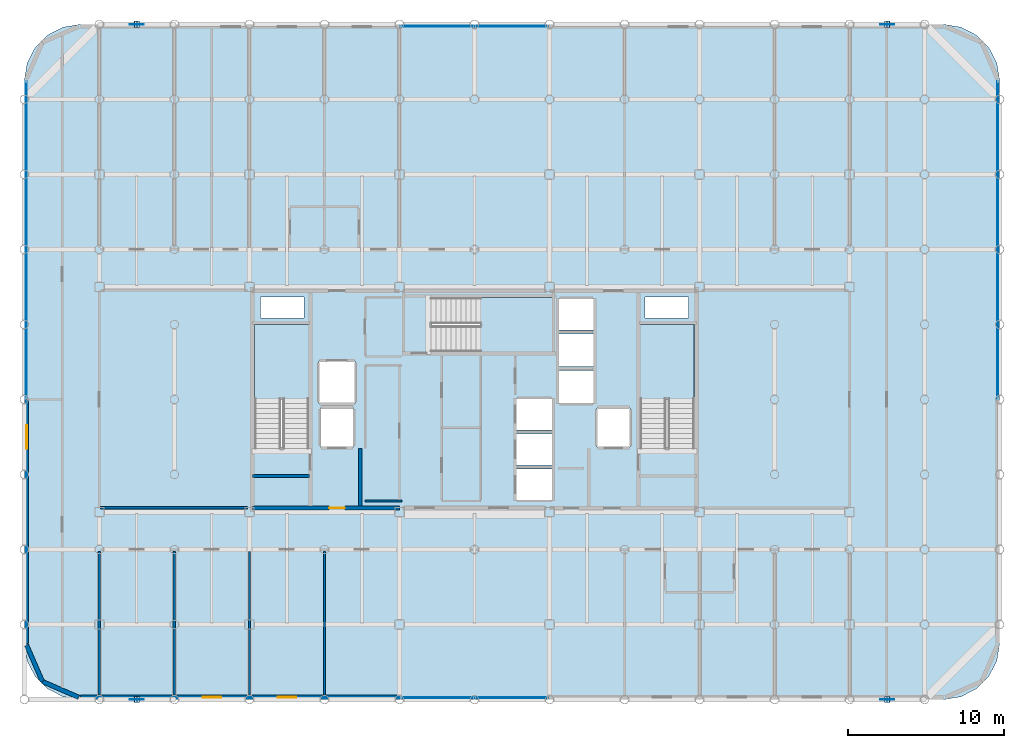
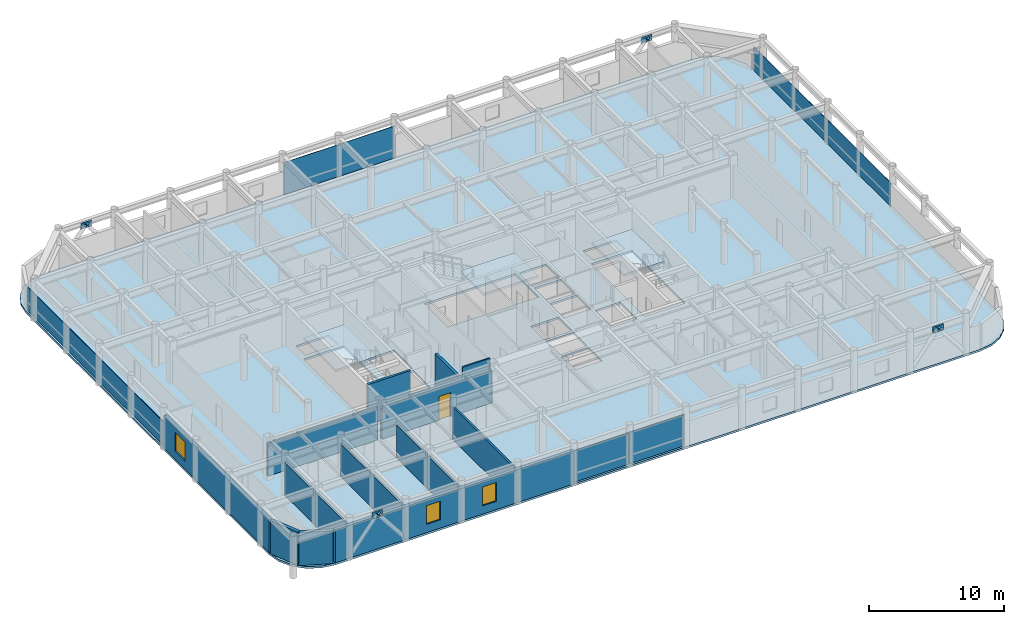
# One storey, part 17 of 22: 18 plates, 13 walls, 4 slabs, 3 windows, 1 door, 4 openings, 7 elements without a shape of their own.
"""IFC4 building model written with IfcOpenShell, lengths in metres."""

from ifc_helpers import new_model, si_unit, direction, frame, frame_2d, origin, origin_2d, place, context, subcontext, project, spatial, polyline, rectangle, outline, extrude, material, layer, layer_set, type_object, element, fill, aggregate, save


model = new_model("IFC4")

# Units and contexts
model_context = context("Model", 3, precision=1e-05, world=origin(), true_north=direction((0.0, 1.0)))
body_context = subcontext(model_context, "Body", "Model", "MODEL_VIEW")
ifc_project = project(units=[si_unit("LENGTHUNIT", "METRE"), si_unit("AREAUNIT", "SQUARE_METRE"), si_unit("VOLUMEUNIT", "CUBIC_METRE"), si_unit("PLANEANGLEUNIT", "RADIAN"), si_unit("MASSUNIT", "GRAM", prefix="KILO")], contexts=[model_context])

# Site, building, storey
site_placement = place(None, origin())
site = spatial("IfcSite", under=ifc_project, at=site_placement, CompositionType="ELEMENT")
building_placement = place(site_placement, origin())
building = spatial("IfcBuilding", under=site, at=building_placement, Name="Kallvorn Hotel Tower", CompositionType="ELEMENT")
storey_placement = place(building_placement, frame((0.0, 0.0, 226.14990234375)))
storey = spatial("IfcBuildingStorey", under=building, at=storey_placement, Name="L56", CompositionType="ELEMENT", Elevation=226.14990234375)

# Curtain wall, plates
ifc_material_1 = material(Name="Thermally broken black-anodised aluminium AA 6063-T6", Category="aluminium")
ifc_layer_1 = layer(ifc_material_1, 0.22998046875)
ifc_layer_set_1 = layer_set([ifc_layer_1], Name="CW_SYS_5_HOTEL_HIGH")
curtain_wall_type = type_object("IfcCurtainWallType", Name="CW_SYS_5_HOTEL_HIGH", PredefinedType="USERDEFINED", material=ifc_layer_set_1)
curtain_wall_1_placement = place(storey_placement, origin())
curtain_wall_1 = element("IfcCurtainWall", 1, at=curtain_wall_1_placement, inside=storey, type_object=curtain_wall_type, Name="L56 Dark-Glass Curtain Wall CW-L56-SC", ObjectType="UNITISED CURTAIN WALL", PredefinedType="USERDEFINED")
ifc_material_2 = material(Name="Triple-glazed low-e acoustic solar-control dark glass", Category="glass")
ifc_layer_2 = layer(ifc_material_2, 0.04150390625)
ifc_layer_set_2 = layer_set([ifc_layer_2], Name="CW_SYS_5_HOTEL_HIGH_PANEL")
plate_type_1 = type_object("IfcPlateType", Name="CW_SYS_5_HOTEL_HIGH_PANEL", PredefinedType="CURTAIN_PANEL", material=ifc_layer_set_2)
plate_1_placement = place(storey_placement, frame((-2.375, -19.080078125, 0.06005859375), z_axis=(0.0, 0.0, 1.0), x_axis=(1.0, 0.0, 0.0)))
plate_1 = element("IfcPlate", 2, at=plate_1_placement, type_object=plate_type_1, Name="CW-L56-SC Vision Glass Panel 00", PredefinedType="CURTAIN_PANEL", context=body_context, shape_type="SweptSolid", body=[
    extrude(rectangle(XDim=4.68994140625, YDim=0.04150390625, at=origin_2d()), origin(), (0.0, 0.0, 1.0), 2.85009765625),
])
plate_2_placement = place(storey_placement, frame((2.375, -19.080078125, 0.06005859375), z_axis=(0.0, 0.0, 1.0), x_axis=(1.0, 0.0, 0.0)))
plate_2 = element("IfcPlate", 3, at=plate_2_placement, type_object=plate_type_1, Name="CW-L56-SC Vision Glass Panel 01", PredefinedType="CURTAIN_PANEL", context=body_context, shape_type="SweptSolid", body=[
    extrude(rectangle(XDim=4.68994140625, YDim=0.04150390625, at=origin_2d()), origin(), (0.0, 0.0, 1.0), 2.85009765625),
])
aggregate(curtain_wall_1, [plate_1, plate_2])

curtain_wall_2_placement = place(storey_placement, origin())
curtain_wall_2 = element("IfcCurtainWall", 4, at=curtain_wall_2_placement, inside=storey, type_object=curtain_wall_type, Name="L56 Dark-Glass Curtain Wall CW-L56-NC", ObjectType="UNITISED CURTAIN WALL", PredefinedType="USERDEFINED")
plate_3_placement = place(storey_placement, frame((-2.375, 23.8798828125, 0.06005859375), z_axis=(0.0, 0.0, 1.0), x_axis=(1.0, 0.0, 0.0)))
plate_3 = element("IfcPlate", 5, at=plate_3_placement, type_object=plate_type_1, Name="CW-L56-NC Vision Glass Panel 00", PredefinedType="CURTAIN_PANEL", context=body_context, shape_type="SweptSolid", body=[
    extrude(rectangle(XDim=4.68994140625, YDim=0.04150390625, at=origin_2d()), origin(), (0.0, 0.0, 1.0), 2.89990234375),
])
plate_4_placement = place(storey_placement, frame((2.375, 23.8798828125, 0.06005859375), z_axis=(0.0, 0.0, 1.0), x_axis=(1.0, 0.0, 0.0)))
plate_4 = element("IfcPlate", 6, at=plate_4_placement, type_object=plate_type_1, Name="CW-L56-NC Vision Glass Panel 01", PredefinedType="CURTAIN_PANEL", context=body_context, shape_type="SweptSolid", body=[
    extrude(rectangle(XDim=4.68994140625, YDim=0.04150390625, at=origin_2d()), origin(), (0.0, 0.0, 1.0), 2.89990234375),
])
aggregate(curtain_wall_2, [plate_3, plate_4])

# Curtain wall, plate
curtain_wall_3_placement = place(storey_placement, origin())
curtain_wall_3 = element("IfcCurtainWall", 7, at=curtain_wall_3_placement, inside=storey, type_object=curtain_wall_type, Name="L56 Dark-Glass Curtain Wall CW-L56-WN", ObjectType="UNITISED CURTAIN WALL", PredefinedType="USERDEFINED")
plate_5_placement = place(storey_placement, frame((-28.679931640625, 10.2099609375, 0.06005859375), z_axis=(0.0, 0.0, 1.0), x_axis=(0.0, 1.0, 0.0)))
plate_5 = element("IfcPlate", 8, at=plate_5_placement, type_object=plate_type_1, Name="CW-L56-WN Vision Glass Panel 00", PredefinedType="CURTAIN_PANEL", context=body_context, shape_type="SweptSolid", body=[
    extrude(rectangle(XDim=20.320068359375, YDim=0.04150390625, at=origin_2d()), origin(), (0.0, 0.0, 1.0), 2.14990234375),
])
aggregate(curtain_wall_3, [plate_5])

curtain_wall_4_placement = place(storey_placement, origin())
curtain_wall_4 = element("IfcCurtainWall", 9, at=curtain_wall_4_placement, inside=storey, type_object=curtain_wall_type, Name="L56 Dark-Glass Curtain Wall CW-L56-EN", ObjectType="UNITISED CURTAIN WALL", PredefinedType="USERDEFINED")
plate_6_placement = place(storey_placement, frame((33.47998046875, 10.2099609375, 0.06005859375), z_axis=(0.0, 0.0, 1.0), x_axis=(0.0, 1.0, 0.0)))
plate_6 = element("IfcPlate", 10, at=plate_6_placement, type_object=plate_type_1, Name="CW-L56-EN Vision Glass Panel 00", PredefinedType="CURTAIN_PANEL", context=body_context, shape_type="SweptSolid", body=[
    extrude(rectangle(XDim=20.320068359375, YDim=0.04150390625, at=origin_2d()), origin(), (0.0, 0.0, 1.0), 2.14990234375),
])
aggregate(curtain_wall_4, [plate_6])

# Plates
ifc_material_3 = material(Name="Structural steel S355JR", Category="steel")
ifc_layer_3 = layer(ifc_material_3, 0.030029296875)
ifc_layer_set_3 = layer_set([ifc_layer_3], Name="PLT_CAP_30")
plate_type_2 = type_object("IfcPlateType", Name="PLT_CAP_30", PredefinedType="SHEET", material=ifc_layer_set_3)
plate_7_placement = place(storey_placement, frame((-21.435546875, -19.40185546875, 3.092529296875), z_axis=(0.620780353498, 0.0, 0.783984536015), x_axis=(0.0, 1.0, 0.0)))
element("IfcPlate", 11, at=plate_7_placement, inside=storey, type_object=plate_type_2, Name="EXO-L56-S1A End Cap Plate B", PredefinedType="SHEET", context=body_context, shape_type="SweptSolid", body=[
    extrude(outline(polyline([(0.0, 0.0), (0.40380859375, 0.0), (0.40380859375, 0.40389877105813043), (0.0, 0.40389877105813043), (0.0, 0.0)])), origin(), (0.0, 0.0, -1.0), 0.030029296875),
])
plate_8_placement = place(storey_placement, frame((-21.764404296875, -18.998046875, 3.092529296875), z_axis=(-0.621074629096, 0.0, 0.78375143068), x_axis=(0.0, -1.0, 0.0)))
element("IfcPlate", 12, at=plate_8_placement, inside=storey, type_object=plate_type_2, Name="EXO-L56-S1B End Cap Plate B", PredefinedType="SHEET", context=body_context, shape_type="SweptSolid", body=[
    extrude(outline(polyline([(0.0, 0.0), (0.40380859375, 0.0), (0.40380859375, 0.4037073970320156), (0.0, 0.4037073970320156), (0.0, 0.0)])), origin(), (0.0, 0.0, -1.0), 0.030029296875),
])
plate_9_placement = place(storey_placement, frame((26.564453125, -19.40185546875, 3.092529296875), z_axis=(0.620780353498, 0.0, 0.783984536015), x_axis=(0.0, 1.0, 0.0)))
element("IfcPlate", 13, at=plate_9_placement, inside=storey, type_object=plate_type_2, Name="EXO-L56-S2A End Cap Plate B", PredefinedType="SHEET", context=body_context, shape_type="SweptSolid", body=[
    extrude(outline(polyline([(0.0, 0.0), (0.40380859375, 0.0), (0.40380859375, 0.40389877105813043), (0.0, 0.40389877105813043), (0.0, 0.0)])), origin(), (0.0, 0.0, -1.0), 0.030029296875),
])
plate_10_placement = place(storey_placement, frame((26.235595703125, -18.998046875, 3.092529296875), z_axis=(-0.621074629096, 0.0, 0.78375143068), x_axis=(0.0, -1.0, 0.0)))
element("IfcPlate", 14, at=plate_10_placement, inside=storey, type_object=plate_type_2, Name="EXO-L56-S2B End Cap Plate B", PredefinedType="SHEET", context=body_context, shape_type="SweptSolid", body=[
    extrude(outline(polyline([(0.0, 0.0), (0.40380859375, 0.0), (0.40380859375, 0.4037073970320156), (0.0, 0.4037073970320156), (0.0, 0.0)])), origin(), (0.0, 0.0, -1.0), 0.030029296875),
])
plate_11_placement = place(storey_placement, frame((-21.435546875, 23.798095703125, 3.092529296875), z_axis=(0.620780353498, 0.0, 0.783984536015), x_axis=(0.0, 1.0, 0.0)))
element("IfcPlate", 15, at=plate_11_placement, inside=storey, type_object=plate_type_2, Name="EXO-L56-N1A End Cap Plate B", PredefinedType="SHEET", context=body_context, shape_type="SweptSolid", body=[
    extrude(outline(polyline([(0.0, 0.0), (0.40380859375, 0.0), (0.40380859375, 0.40389877105813043), (0.0, 0.40389877105813043), (0.0, 0.0)])), origin(), (0.0, 0.0, -1.0), 0.030029296875),
])
plate_12_placement = place(storey_placement, frame((-21.764404296875, 24.201904296875, 3.092529296875), z_axis=(-0.621074629096, 0.0, 0.78375143068), x_axis=(0.0, -1.0, 0.0)))
element("IfcPlate", 16, at=plate_12_placement, inside=storey, type_object=plate_type_2, Name="EXO-L56-N1B End Cap Plate B", PredefinedType="SHEET", context=body_context, shape_type="SweptSolid", body=[
    extrude(outline(polyline([(0.0, 0.0), (0.40380859375, 0.0), (0.40380859375, 0.4037073970320156), (0.0, 0.4037073970320156), (0.0, 0.0)])), origin(), (0.0, 0.0, -1.0), 0.030029296875),
])
plate_13_placement = place(storey_placement, frame((26.564453125, 23.798095703125, 3.092529296875), z_axis=(0.620780353498, 0.0, 0.783984536015), x_axis=(0.0, 1.0, 0.0)))
element("IfcPlate", 17, at=plate_13_placement, inside=storey, type_object=plate_type_2, Name="EXO-L56-N2A End Cap Plate B", PredefinedType="SHEET", context=body_context, shape_type="SweptSolid", body=[
    extrude(outline(polyline([(0.0, 0.0), (0.40380859375, 0.0), (0.40380859375, 0.40389877105813043), (0.0, 0.40389877105813043), (0.0, 0.0)])), origin(), (0.0, 0.0, -1.0), 0.030029296875),
])
plate_14_placement = place(storey_placement, frame((26.235595703125, 24.201904296875, 3.092529296875), z_axis=(-0.621074629096, 0.0, 0.78375143068), x_axis=(0.0, -1.0, 0.0)))
element("IfcPlate", 18, at=plate_14_placement, inside=storey, type_object=plate_type_2, Name="EXO-L56-N2B End Cap Plate B", PredefinedType="SHEET", context=body_context, shape_type="SweptSolid", body=[
    extrude(outline(polyline([(0.0, 0.0), (0.40380859375, 0.0), (0.40380859375, 0.4037073970320156), (0.0, 0.4037073970320156), (0.0, 0.0)])), origin(), (0.0, 0.0, -1.0), 0.030029296875),
])
ifc_material_4 = material(Name="Structural steel S355JR", Category="steel")
ifc_layer_4 = layer(ifc_material_4, 0.034912109375)
ifc_layer_set_4 = layer_set([ifc_layer_4], Name="PLT_GUSSET_35")
plate_type_3 = type_object("IfcPlateType", Name="PLT_GUSSET_35", PredefinedType="USERDEFINED", material=ifc_layer_set_4)
for number, where, z_axis, x_axis, name in (
    (19, (-21.60009765625, -19.199951171875, 2.89013671875), (0.0, 0.0, 1.0), (1.0, 0.0, 0.0), "L56 Exoskeleton Node Gusset S1"),
    (20, (26.39990234375, -19.199951171875, 2.89013671875), (0.0, 0.0, 1.0), (1.0, 0.0, 0.0), "L56 Exoskeleton Node Gusset S2"),
    (21, (-21.60009765625, 24.0, 2.89013671875), (0.0, 0.0, 1.0), (1.0, 0.0, 0.0), "L56 Exoskeleton Node Gusset N1"),
    (22, (26.39990234375, 24.0, 2.89013671875), (0.0, 0.0, 1.0), (1.0, 0.0, 0.0), "L56 Exoskeleton Node Gusset N2"),
):
    element("IfcPlate", number, at=place(storey_placement, frame(where, z_axis=z_axis, x_axis=x_axis)), inside=storey, type_object=plate_type_3, Name=name, ObjectType="GUSSET PLATE", PredefinedType="USERDEFINED", context=body_context, shape_type="SweptSolid", body=[
        extrude(rectangle(XDim=0.89990234375, YDim=0.034912109375, at=origin_2d()), origin(), (0.0, 0.0, 1.0), 0.56005859375),
    ])

# Stair, slab
ifc_material_5 = material(Name="Precast concrete C40/50", Category="concrete")
stair_type = type_object("IfcStairType", Name="STR_CORE_DOGLEG", PredefinedType="HALF_TURN_STAIR", material=ifc_material_5)
stair_1_placement = place(storey_placement, origin())
stair_1 = element("IfcStair", 23, at=stair_1_placement, inside=storey, type_object=stair_type, Name="L56 Exit stair ST1", PredefinedType="HALF_TURN_STAIR")
ifc_material_6 = material(Name="Precast concrete C40/50", Category="concrete")
ifc_layer_5 = layer(ifc_material_6, 0.179931640625)
ifc_layer_set_5 = layer_set([ifc_layer_5], Name="SLB_LANDING_180")
slab_type_1 = type_object("IfcSlabType", Name="SLB_LANDING_180", PredefinedType="LANDING", material=ifc_layer_set_5)
slab_1_placement = place(storey_placement, frame((0.0, 0.0, 1.72509765625)))
slab_1 = element("IfcSlab", 24, at=slab_1_placement, type_object=slab_type_1, Name="ST1 landing 1", PredefinedType="LANDING", context=body_context, shape_type="SweptSolid", body=[
    extrude(outline(polyline([(-10.60009765625, 0.010009765625), (-10.60009765625, 4.800048828125), (-14.06005859375, 4.800048828125), (-14.06005859375, 0.010009765625), (-10.60009765625, 0.010009765625)])), origin(), (0.0, 0.0, 1.0), 0.199951171875),
])
aggregate(stair_1, [slab_1])

stair_2_placement = place(storey_placement, origin())
stair_2 = element("IfcStair", 25, at=stair_2_placement, inside=storey, type_object=stair_type, Name="L56 Exit stair ST2", PredefinedType="HALF_TURN_STAIR")
slab_2_placement = place(storey_placement, frame((0.0, 0.0, 1.72509765625)))
slab_2 = element("IfcSlab", 26, at=slab_2_placement, type_object=slab_type_1, Name="ST2 landing 1", PredefinedType="LANDING", context=body_context, shape_type="SweptSolid", body=[
    extrude(outline(polyline([(14.06005859375, 0.010009765625), (14.06005859375, 4.800048828125), (10.60009765625, 4.800048828125), (10.60009765625, 0.010009765625), (14.06005859375, 0.010009765625)])), origin(), (0.0, 0.0, 1.0), 0.199951171875),
])
aggregate(stair_2, [slab_2])

stair_3_placement = place(storey_placement, origin())
stair_3 = element("IfcStair", 27, at=stair_3_placement, inside=storey, type_object=stair_type, Name="L56 Exit stair ST3", PredefinedType="HALF_TURN_STAIR")
slab_3_placement = place(storey_placement, frame((0.0, 0.0, 1.72509765625)))
slab_3 = element("IfcSlab", 28, at=slab_3_placement, type_object=slab_type_1, Name="ST3 landing 1", PredefinedType="LANDING", context=body_context, shape_type="SweptSolid", body=[
    extrude(outline(polyline([(0.360107421875, 3.050048828125), (5.050048828125, 3.050048828125), (5.050048828125, 6.510009765625), (0.360107421875, 6.510009765625), (0.360107421875, 3.050048828125)])), origin(), (0.0, 0.0, 1.0), 0.199951171875),
])
aggregate(stair_3, [slab_3])

# Slab
ifc_material_7 = material(Name="Concrete C40/50", Category="concrete")
ifc_layer_6 = layer(ifc_material_7, 0.179931640625)
ifc_layer_set_6 = layer_set([ifc_layer_6], Name="SLB_TOWER_180")
slab_type_2 = type_object("IfcSlabType", Name="SLB_TOWER_180", PredefinedType="FLOOR", material=ifc_layer_set_6)
slab_4_placement = place(storey_placement, frame((0.0, 0.0, -0.179931640625)))
element("IfcSlab", 29, at=slab_4_placement, inside=storey, type_object=slab_type_2, Name="L56 Structural Floor Slab", PredefinedType="FLOOR", context=body_context, shape_type="SweptSolid", body=[
    extrude(outline(polyline([(30.0, -19.199951171875), (31.112548828125, -19.023681640625), (32.115966796875, -18.512451171875), (32.91259765625, -17.716064453125), (33.423828125, -16.71240234375), (33.60009765625, -15.60009765625), (33.60009765625, 20.39990234375), (33.423828125, 21.512451171875), (32.91259765625, 22.51611328125), (32.115966796875, 23.3125), (31.112548828125, 23.82373046875), (30.0, 24.0), (-25.199951171875, 24.0), (-26.3125, 23.82373046875), (-27.31591796875, 23.3125), (-28.112548828125, 22.51611328125), (-28.623779296875, 21.512451171875), (-28.800048828125, 20.39990234375), (-28.800048828125, -15.60009765625), (-28.623779296875, -16.71240234375), (-28.112548828125, -17.716064453125), (-27.31591796875, -18.512451171875), (-26.3125, -19.023681640625), (-25.199951171875, -19.199951171875), (30.0, -19.199951171875)]), holes=[polyline([(-10.60009765625, -3.070068359375), (-10.60009765625, 4.800048828125), (-14.06005859375, 4.800048828125), (-14.06005859375, -3.070068359375), (-10.60009765625, -3.070068359375)]), polyline([(14.06005859375, -3.070068359375), (14.06005859375, 4.800048828125), (10.60009765625, 4.800048828125), (10.60009765625, -3.070068359375), (14.06005859375, -3.070068359375)]), polyline([(-2.719970703125, 3.050048828125), (5.050048828125, 3.050048828125), (5.050048828125, 6.510009765625), (-2.719970703125, 6.510009765625), (-2.719970703125, 3.050048828125)]), polyline([(2.64990234375, -6.449951171875), (5.0, -6.449951171875), (5.0, -4.449951171875), (2.64990234375, -4.449951171875), (2.64990234375, -6.449951171875)]), polyline([(2.64990234375, -4.199951171875), (5.0, -4.199951171875), (5.0, -2.199951171875), (2.64990234375, -2.199951171875), (2.64990234375, -4.199951171875)]), polyline([(2.64990234375, -1.949951171875), (5.0, -1.949951171875), (5.0, 0.050048828125), (2.64990234375, 0.050048828125), (2.64990234375, -1.949951171875)]), polyline([(5.35009765625, -0.25), (7.64990234375, -0.25), (7.64990234375, 1.85009765625), (5.35009765625, 1.85009765625), (5.35009765625, -0.25)]), polyline([(5.35009765625, 2.10009765625), (7.64990234375, 2.10009765625), (7.64990234375, 4.199951171875), (5.35009765625, 4.199951171875), (5.35009765625, 2.10009765625)]), polyline([(5.35009765625, 4.449951171875), (7.64990234375, 4.449951171875), (7.64990234375, 6.449951171875), (5.35009765625, 6.449951171875), (5.35009765625, 4.449951171875)]), polyline([(-9.85009765625, -3.050048828125), (-7.75, -3.050048828125), (-7.75, -0.550048828125), (-9.85009765625, -0.550048828125), (-9.85009765625, -3.050048828125)]), polyline([(7.85009765625, -3.050048828125), (9.949951171875, -3.050048828125), (9.949951171875, -0.550048828125), (7.85009765625, -0.550048828125), (7.85009765625, -3.050048828125)]), polyline([(-9.949951171875, -0.25), (-7.64990234375, -0.25), (-7.64990234375, 2.449951171875), (-9.949951171875, 2.449951171875), (-9.949951171875, -0.25)]), polyline([(-13.699951171875, 5.199951171875), (-10.89990234375, 5.199951171875), (-10.89990234375, 6.550048828125), (-13.699951171875, 6.550048828125), (-13.699951171875, 5.199951171875)]), polyline([(10.89990234375, 5.199951171875), (13.699951171875, 5.199951171875), (13.699951171875, 6.550048828125), (10.89990234375, 6.550048828125), (10.89990234375, 5.199951171875)])]), origin(), (0.0, 0.0, 1.0), 0.179931640625),
])

# Walls
ifc_material_8 = material(Name="Precast basalt-clad insulated concrete wall C40/50", Category="masonry")
ifc_layer_7 = layer(ifc_material_8, 0.280029296875)
ifc_layer_set_7 = layer_set([ifc_layer_7], Name="WL_EXT_LOGGIA_280")
wall_type_1 = type_object("IfcWallType", Name="WL_EXT_LOGGIA_280", PredefinedType="SOLIDWALL", material=ifc_layer_set_7)
wall_1_placement = place(storey_placement, frame((-28.657958984375, -15.720703125, 0.0), z_axis=(0.0, 0.0, 1.0), x_axis=(0.398792985289, -0.917040977756, 0.0)))
element("IfcWall", 30, at=wall_1_placement, inside=storey, type_object=wall_type_1, Name="L56 Rounded Corner Exterior Wall SW1", PredefinedType="SOLIDWALL", context=body_context, shape_type="SweptSolid", body=[
    extrude(rectangle(XDim=2.536376953125, YDim=0.280029296875, at=frame_2d((1.26806640625, 0.0))), origin(), (0.0, 0.0, 1.0), 3.02001953125),
])
wall_2_placement = place(storey_placement, frame((-27.646484375, -18.046630859375, 0.0), z_axis=(0.0, 0.0, 1.0), x_axis=(0.917060872934, -0.398747232384, 0.0)))
element("IfcWall", 31, at=wall_2_placement, inside=storey, type_object=wall_type_1, Name="L56 Rounded Corner Exterior Wall SW2", PredefinedType="SOLIDWALL", context=body_context, shape_type="SweptSolid", body=[
    extrude(rectangle(XDim=2.5361328125, YDim=0.280029296875, at=frame_2d((1.26806640625, 0.0))), origin(), (0.0, 0.0, 1.0), 2.97021484375),
])

# Wall, openings, windows
wall_3_placement = place(storey_placement, frame((-25.199951171875, -19.06005859375, 0.0), z_axis=(0.0, 0.0, 1.0), x_axis=(1.0, 0.0, 0.0)))
wall_3 = element("IfcWall", 32, at=wall_3_placement, inside=storey, type_object=wall_type_1, Name="L56 Exterior Envelope Wall EW-L56-SW", PredefinedType="SOLIDWALL", context=body_context, shape_type="SweptSolid", body=[
    extrude(rectangle(XDim=20.449951171875, YDim=0.280029296875, at=frame_2d((10.22509765625, 0.0))), origin(), (0.0, 0.0, 1.0), 2.97021484375),
])
opening_1_placement = place(wall_3_placement, frame((7.800048828125, 0.0, 0.75)))
opening_1 = element("IfcOpeningElement", 33, at=opening_1_placement, cuts=wall_3, Name="Opening W06", PredefinedType="OPENING", context=body_context, shape_type="SweptSolid", body=[
    extrude(rectangle(XDim=1.199951171875, YDim=1.699951171875, at=frame_2d((0.60009765625, 0.85009765625))), frame((0.0, 0.155029296875, 0.0), z_axis=(0.0, -1.0, 0.0), x_axis=(1.0, 0.0, 0.0)), (0.0, 0.0, 1.0), 0.31005859375),
])
opening_2_placement = place(wall_3_placement, frame((12.60009765625, 0.0, 0.75)))
opening_2 = element("IfcOpeningElement", 34, at=opening_2_placement, cuts=wall_3, Name="Opening W06", PredefinedType="OPENING", context=body_context, shape_type="SweptSolid", body=[
    extrude(rectangle(XDim=1.199951171875, YDim=1.699951171875, at=frame_2d((0.60009765625, 0.85009765625))), frame((0.0, 0.155029296875, 0.0), z_axis=(0.0, -1.0, 0.0), x_axis=(1.0, 0.0, 0.0)), (0.0, 0.0, 1.0), 0.31005859375),
])
ifc_material_9 = material(Name="Triple-glazed low-e acoustic solar-control dark glass", Category="glass")
window_type_1 = type_object("IfcWindowType", Name="WN_HTL_1200x1700", PartitioningType="SINGLE_PANEL", PredefinedType="WINDOW", material=ifc_material_9)
window_1_placement = place(opening_1_placement, origin())
window_1 = element("IfcWindow", 35, at=window_1_placement, inside=storey, type_object=window_type_1, Name="L56 Guestroom Exterior Window 04", OverallHeight=1.699951171875, OverallWidth=1.199951171875, PartitioningType="SINGLE_PANEL", PredefinedType="WINDOW", context=body_context, shape_type="SweptSolid", body=[
    extrude(rectangle(XDim=1.199951171875, YDim=1.699951171875, at=frame_2d((0.60009765625, 0.85009765625))), frame((0.0, 0.030029296875, 0.0), z_axis=(0.0, -1.0, 0.0), x_axis=(1.0, 0.0, 0.0)), (0.0, 0.0, 1.0), 0.06005859375),
])
fill(opening_1, window_1)
window_2_placement = place(opening_2_placement, origin())
window_2 = element("IfcWindow", 36, at=window_2_placement, inside=storey, type_object=window_type_1, Name="L56 Guestroom Exterior Window 05", OverallHeight=1.699951171875, OverallWidth=1.199951171875, PartitioningType="SINGLE_PANEL", PredefinedType="WINDOW", context=body_context, shape_type="SweptSolid", body=[
    extrude(rectangle(XDim=1.199951171875, YDim=1.699951171875, at=frame_2d((0.60009765625, 0.85009765625))), frame((0.0, 0.030029296875, 0.0), z_axis=(0.0, -1.0, 0.0), x_axis=(1.0, 0.0, 0.0)), (0.0, 0.0, 1.0), 0.06005859375),
])
fill(opening_2, window_2)

# Wall, opening, window
wall_4_placement = place(storey_placement, frame((-28.659912109375, -15.60009765625, 0.0), z_axis=(0.0, 0.0, 1.0), x_axis=(0.0, 1.0, 0.0)))
wall_4 = element("IfcWall", 37, at=wall_4_placement, inside=storey, type_object=wall_type_1, Name="L56 Exterior Envelope Wall EW-L56-WS", PredefinedType="SOLIDWALL", context=body_context, shape_type="SweptSolid", body=[
    extrude(rectangle(XDim=15.580078125, YDim=0.280029296875, at=frame_2d((7.7900390625, 0.0))), origin(), (0.0, 0.0, 1.0), 2.97021484375),
])
opening_3_placement = place(wall_4_placement, frame((12.449951171875, 0.0, 0.75)))
opening_3 = element("IfcOpeningElement", 38, at=opening_3_placement, cuts=wall_4, Name="Opening W05", PredefinedType="OPENING", context=body_context, shape_type="SweptSolid", body=[
    extrude(rectangle(XDim=1.5, YDim=1.699951171875, at=frame_2d((0.75, 0.85009765625))), frame((0.0, 0.155029296875, 0.0), z_axis=(0.0, -1.0, 0.0), x_axis=(1.0, 0.0, 0.0)), (0.0, 0.0, 1.0), 0.31005859375),
])
ifc_material_10 = material(Name="Double-glazed low-e solar-control dark glass", Category="glass")
window_type_2 = type_object("IfcWindowType", Name="WN_HTL_1500x1700", PartitioningType="SINGLE_PANEL", PredefinedType="WINDOW", material=ifc_material_10)
window_3_placement = place(opening_3_placement, origin())
window_3 = element("IfcWindow", 39, at=window_3_placement, inside=storey, type_object=window_type_2, Name="L56 Flank Wing Window 03", OverallHeight=1.699951171875, OverallWidth=1.5, PartitioningType="SINGLE_PANEL", PredefinedType="WINDOW", context=body_context, shape_type="SweptSolid", body=[
    extrude(rectangle(XDim=1.5, YDim=1.699951171875, at=frame_2d((0.75, 0.85009765625))), frame((0.0, 0.030029296875, 0.0), z_axis=(0.0, -1.0, 0.0), x_axis=(1.0, 0.0, 0.0)), (0.0, 0.0, 1.0), 0.06005859375),
])
fill(opening_3, window_3)

# Walls
ifc_material_11 = material(Name="Concrete C40/50", Category="concrete")
ifc_layer_8 = layer(ifc_material_11, 0.219970703125)
ifc_layer_set_8 = layer_set([ifc_layer_8], Name="WL_FFL_220")
wall_type_2 = type_object("IfcWallType", Name="WL_FFL_220", PredefinedType="SOLIDWALL", material=ifc_layer_set_8)
wall_5_placement = place(storey_placement, frame((-7.300048828125, -6.820068359375, 0.0), z_axis=(0.0, 0.0, 1.0), x_axis=(0.0, 1.0, 0.0)))
element("IfcWall", 40, at=wall_5_placement, inside=storey, type_object=wall_type_2, Name="L56 Firefighting Lobby West Divider Wall", PredefinedType="SOLIDWALL", context=body_context, shape_type="SweptSolid", body=[
    extrude(rectangle(XDim=3.670166015625, YDim=0.219970703125, at=frame_2d((1.8349609375, 0.0))), origin(), (0.0, 0.0, 1.0), 2.97021484375),
])
ifc_material_12 = material(Name="Concrete C40/50", Category="concrete")
ifc_layer_9 = layer(ifc_material_12, 0.199951171875)
ifc_layer_set_9 = layer_set([ifc_layer_9], Name="WL_HOIST_200")
wall_type_3 = type_object("IfcWallType", Name="WL_HOIST_200", PredefinedType="SOLIDWALL", material=ifc_layer_set_9)
wall_6_placement = place(storey_placement, frame((-14.199951171875, -4.89990234375, -0.179931640625), z_axis=(0.0, 0.0, 1.0), x_axis=(1.0, 0.0, 0.0)))
element("IfcWall", 41, at=wall_6_placement, inside=storey, type_object=wall_type_3, Name="L56 Stair ST1 South Wall", PredefinedType="SOLIDWALL", context=body_context, shape_type="SweptSolid", body=[
    extrude(rectangle(XDim=3.64990234375, YDim=0.199951171875, at=frame_2d((1.824951171875, 0.0))), origin(), (0.0, 0.0, 1.0), 3.85009765625),
])
ifc_material_13 = material(Name="Fire-rated double-layer acoustic gypsum drywall EI 60")
ifc_layer_10 = layer(ifc_material_13, 0.1201171875)
ifc_layer_set_10 = layer_set([ifc_layer_10], Name="WL_INT_120")
wall_type_4 = type_object("IfcWallType", Name="WL_INT_120", PredefinedType="PARTITIONING", material=ifc_layer_set_10)
wall_7_placement = place(storey_placement, frame((-7.0, -6.5, 0.0), z_axis=(0.0, 0.0, 1.0), x_axis=(1.0, 0.0, 0.0)))
element("IfcWall", 42, at=wall_7_placement, inside=storey, type_object=wall_type_4, Name="L56 Recaptured Butler and Room-Service Pantry Partition", PredefinedType="PARTITIONING", context=body_context, shape_type="SweptSolid", body=[
    extrude(rectangle(XDim=2.35009765625, YDim=0.1201171875, at=frame_2d((1.175048828125, 0.0))), origin(), (0.0, 0.0, 1.0), 3.670166015625),
])
ifc_material_14 = material(Name="Fire-rated double-layer acoustic gypsum drywall EI 60")
ifc_layer_11 = layer(ifc_material_14, 0.14990234375)
ifc_layer_set_11 = layer_set([ifc_layer_11], Name="WL_PART_150")
wall_type_5 = type_object("IfcWallType", Name="WL_PART_150", PredefinedType="PARTITIONING", material=ifc_layer_set_11)
wall_8_placement = place(storey_placement, frame((-23.919921875, -6.919921875, 0.0), z_axis=(0.0, 0.0, 1.0), x_axis=(1.0, 0.0, 0.0)))
element("IfcWall", 43, at=wall_8_placement, inside=storey, type_object=wall_type_5, Name="L56 L56 High-Zone Inner West Club Bar Partition", PredefinedType="PARTITIONING", context=body_context, shape_type="SweptSolid", body=[
    extrude(rectangle(XDim=9.39990234375, YDim=0.14990234375, at=frame_2d((4.699951171875, 0.0))), origin(), (0.0, 0.0, 1.0), 2.97021484375),
])
for number, where, z_axis, x_axis, name in (
    (44, (-24.0, -18.909912109375, 0.0), (0.0, 0.0, 1.0), (0.0, 1.0, 0.0), "L56 L56 High-Zone South-West Tea Bar Partition"),
    (45, (-19.199951171875, -18.909912109375, 0.0), (0.0, 0.0, 1.0), (0.0, 1.0, 0.0), "L56 L56 High-Zone South-West Tea Bar Partition"),
    (46, (-14.39990234375, -18.909912109375, 0.0), (0.0, 0.0, 1.0), (0.0, 1.0, 0.0), "L56 L56 Thermal Hydrotherapy Treatment Suite 1-1 Partition"),
    (47, (-9.60009765625, -18.909912109375, 0.0), (0.0, 0.0, 1.0), (0.0, 1.0, 0.0), "L56 L56 Panoramic Club Sky Lounge 2 Partition"),
):
    element("IfcWall", number, at=place(storey_placement, frame(where, z_axis=z_axis, x_axis=x_axis)), inside=storey, type_object=wall_type_5, Name=name, PredefinedType="PARTITIONING", context=body_context, shape_type="SweptSolid", body=[
        extrude(rectangle(XDim=9.18994140625, YDim=0.14990234375, at=frame_2d((4.594970703125, 0.0))), origin(), (0.0, 0.0, 1.0), 2.97021484375),
    ])

# Wall, opening, door
ifc_material_15 = material(Name="Concrete C40/50", Category="concrete")
ifc_layer_12 = layer(ifc_material_15, 0.25)
ifc_layer_set_12 = layer_set([ifc_layer_12], Name="WL_SHAFT_250")
wall_type_6 = type_object("IfcWallType", Name="WL_SHAFT_250", PredefinedType="SOLIDWALL", material=ifc_layer_set_12)
wall_9_placement = place(storey_placement, frame((-14.199951171875, -6.949951171875, 0.0), z_axis=(0.0, 0.0, 1.0), x_axis=(1.0, 0.0, 0.0)))
wall_9 = element("IfcWall", 48, at=wall_9_placement, inside=storey, type_object=wall_type_6, Name="L56 Core South-West Wall", PredefinedType="SOLIDWALL", context=body_context, shape_type="SweptSolid", body=[
    extrude(rectangle(XDim=9.39990234375, YDim=0.25, at=frame_2d((4.699951171875, 0.0))), origin(), (0.0, 0.0, 1.0), 2.97021484375),
])
opening_4_placement = place(wall_9_placement, frame((4.89990234375, 0.0, 0.0)))
opening_4 = element("IfcOpeningElement", 49, at=opening_4_placement, cuts=wall_9, Name="Opening FD1", PredefinedType="OPENING", context=body_context, shape_type="SweptSolid", body=[
    extrude(rectangle(XDim=1.0, YDim=2.14990234375, at=frame_2d((0.5, 1.074951171875))), frame((0.0, 0.139892578125, 0.0), z_axis=(0.0, -1.0, 0.0), x_axis=(1.0, 0.0, 0.0)), (0.0, 0.0, 1.0), 0.280029296875),
])
ifc_material_16 = material(Name="Galvanised painted steel fire-rated door assembly", Category="steel")
door_type = type_object("IfcDoorType", Name="DR_FFL_1000x2150", OperationType="NOTDEFINED", PredefinedType="DOOR", material=ifc_material_16)
door_placement = place(opening_4_placement, origin())
door = element("IfcDoor", 50, at=door_placement, inside=storey, type_object=door_type, Name="L56 Firefighting Lobby West Door", OperationType="SINGLE_SWING_RIGHT", OverallHeight=2.14990234375, OverallWidth=1.0, PredefinedType="DOOR", context=body_context, shape_type="SweptSolid", body=[
    extrude(rectangle(XDim=1.0, YDim=2.14990234375, at=frame_2d((0.5, 1.074951171875))), frame((0.0, 0.02490234375, 0.0), z_axis=(0.0, -1.0, 0.0), x_axis=(1.0, 0.0, 0.0)), (0.0, 0.0, 1.0), 0.050048828125),
])
fill(opening_4, door)

save(model, "model.ifc")
